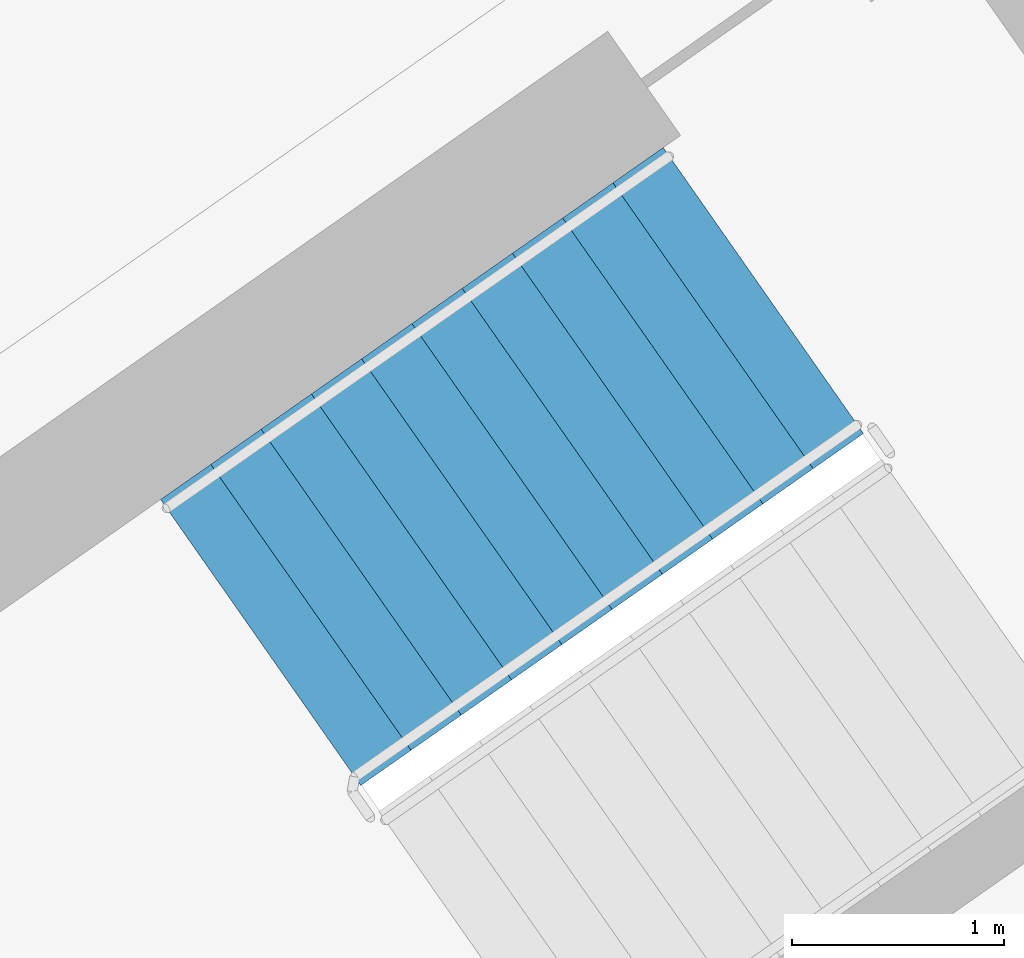
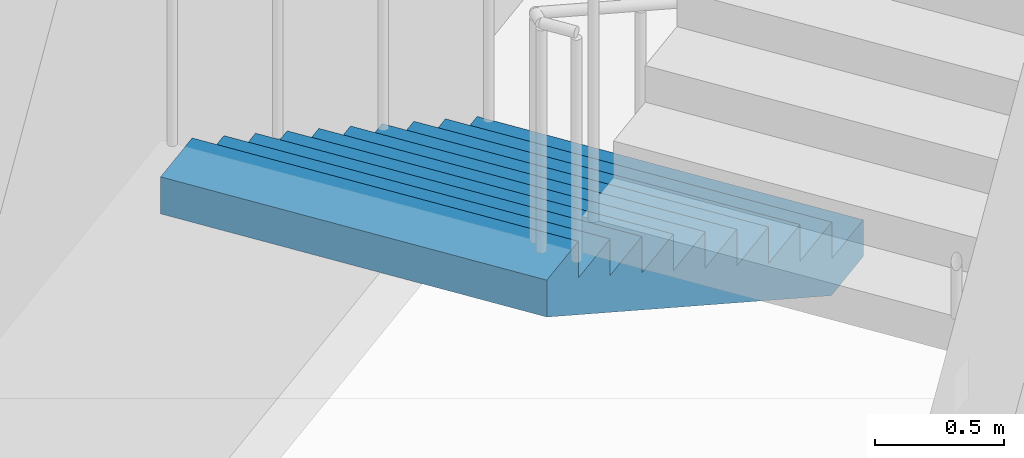
# One storey, part 16 of 27: 1 stair flight, 1 element without a shape of its own.
"""IFC4 building model written with IfcOpenShell, lengths in metres."""

from ifc_helpers import new_model, si_unit, direction, frame, origin, place, context, subcontext, project, spatial, faceted_brep, material, type_object, element, aggregate, save


model = new_model("IFC4")

# Units and contexts
model_context = context("Model", 3, precision=1e-05, world=origin(), true_north=direction((0.0, 1.0)))
body_context = subcontext(model_context, "Body", "Model", "MODEL_VIEW")
ifc_project = project(units=[si_unit("LENGTHUNIT", "METRE"), si_unit("AREAUNIT", "SQUARE_METRE"), si_unit("VOLUMEUNIT", "CUBIC_METRE"), si_unit("PLANEANGLEUNIT", "RADIAN"), si_unit("MASSUNIT", "GRAM", prefix="KILO")], contexts=[model_context])

# Site, building, storey
site_placement = place(None, origin())
site = spatial("IfcSite", under=ifc_project, at=site_placement, CompositionType="ELEMENT")
building_placement = place(site_placement, origin())
building = spatial("IfcBuilding", under=site, at=building_placement, Name="Qamariyya Broadcast Tower", CompositionType="ELEMENT")
storey_placement = place(building_placement, frame((0.0, 0.0, 164.5)))
storey = spatial("IfcBuildingStorey", under=building, at=storey_placement, Name="L38", CompositionType="ELEMENT", Elevation=164.5)

# Stair, stair flight
ifc_material = material(Name="Concrete C50/60", Category="concrete")
stair_type = type_object("IfcStairType", Name="Exit stair 22 risers of 173 mm", PredefinedType="HALF_TURN_STAIR", material=ifc_material)
stair_placement = place(storey_placement, origin())
stair = element("IfcStair", 1, at=stair_placement, inside=storey, type_object=stair_type, Name="L38 Stair E2", PredefinedType="HALF_TURN_STAIR")
stair_flight_type = type_object("IfcStairFlightType", Name="Exit stair flight 11 risers of 173 mm", PredefinedType="STRAIGHT", material=ifc_material)
stair_flight_placement = place(storey_placement, frame((40.558837890625, -47.685302734375, 0.0), z_axis=(0.0, 0.0, 1.0), x_axis=(-0.819152044289, -0.573576436351, 0.0)))
stair_flight = element("IfcStairFlight", 2, at=stair_flight_placement, type_object=stair_flight_type, Name="ST-E2 flight 1", NumberOfRisers=11, NumberOfTreads=10, PredefinedType="STRAIGHT", RiserHeight=0.172727273, TreadLength=0.29, context=body_context, shape_type="Brep", body=[
    faceted_brep([(0.0, 0.824951171875, 0.0), (0.0, 0.824951171875, 0.172607421875), (0.2900390625, 0.824951171875, 0.172607421875), (0.2900390625, 0.824951171875, 0.345458984375), (0.580078125, 0.824951171875, 0.345458984375), (0.580078125, 0.824951171875, 0.51806640625), (0.8701171875, 0.824951171875, 0.51806640625), (0.8701171875, 0.824951171875, 0.69091796875), (1.159912109375, 0.824951171875, 0.69091796875), (1.159912109375, 0.824951171875, 0.863525390625), (1.449951171875, 0.824951171875, 0.863525390625), (1.449951171875, 0.824951171875, 1.036376953125), (1.739990234375, 0.824951171875, 1.036376953125), (1.739990234375, 0.824951171875, 1.208984375), (2.030029296875, 0.824951171875, 1.208984375), (2.030029296875, 0.824951171875, 1.3818359375), (2.320068359375, 0.824951171875, 1.3818359375), (2.320068359375, 0.824951171875, 1.554443359375), (2.610107421875, 0.824951171875, 1.554443359375), (2.610107421875, 0.824951171875, 1.727294921875), (2.89990234375, 0.824951171875, 1.727294921875), (2.89990234375, 0.824951171875, 1.552734375), (0.29296875, 0.824951171875, 0.0), (0.29296875, -0.824951171875, 0.0), (2.89990234375, -0.824951171875, 1.552734375), (2.89990234375, -0.824951171875, 1.727294921875), (2.610107421875, -0.824951171875, 1.727294921875), (2.610107421875, -0.824951171875, 1.554443359375), (2.320068359375, -0.824951171875, 1.554443359375), (2.320068359375, -0.824951171875, 1.3818359375), (2.030029296875, -0.824951171875, 1.3818359375), (2.030029296875, -0.824951171875, 1.208984375), (1.739990234375, -0.824951171875, 1.208984375), (1.739990234375, -0.824951171875, 1.036376953125), (1.449951171875, -0.824951171875, 1.036376953125), (1.449951171875, -0.824951171875, 0.863525390625), (1.159912109375, -0.824951171875, 0.863525390625), (1.159912109375, -0.824951171875, 0.69091796875), (0.8701171875, -0.824951171875, 0.69091796875), (0.8701171875, -0.824951171875, 0.51806640625), (0.580078125, -0.824951171875, 0.51806640625), (0.580078125, -0.824951171875, 0.345458984375), (0.2900390625, -0.824951171875, 0.345458984375), (0.2900390625, -0.824951171875, 0.172607421875), (0.0, -0.824951171875, 0.172607421875), (0.0, -0.824951171875, 0.0), (0.0, 0.10009765625, 0.0), (0.0, 0.086669921875, 0.0), (0.0, 0.0732421875, 0.0), (0.0, 0.06005859375, 0.0), (0.0, 0.046630859375, 0.0), (0.0, 0.033447265625, 0.0), (0.0, 0.02001953125, 0.0), (0.0, 0.006591796875, 0.0), (0.0, -0.006591796875, 0.0), (0.0, -0.02001953125, 0.0), (0.0, -0.033447265625, 0.0), (0.0, -0.046630859375, 0.0), (0.0, -0.06005859375, 0.0), (0.0, -0.0732421875, 0.0), (0.0, -0.086669921875, 0.0), (0.0, -0.10009765625, 0.0), (0.0, -0.10009765625, 0.172607421875), (0.0, -0.086669921875, 0.172607421875), (0.0, -0.0732421875, 0.172607421875), (0.0, -0.06005859375, 0.172607421875), (0.0, -0.046630859375, 0.172607421875), (0.0, -0.033447265625, 0.172607421875), (0.0, -0.02001953125, 0.172607421875), (0.0, -0.006591796875, 0.172607421875), (0.0, 0.006591796875, 0.172607421875), (0.0, 0.02001953125, 0.172607421875), (0.0, 0.033447265625, 0.172607421875), (0.0, 0.046630859375, 0.172607421875), (0.0, 0.06005859375, 0.172607421875), (0.0, 0.0732421875, 0.172607421875), (0.0, 0.086669921875, 0.172607421875), (0.0, 0.10009765625, 0.172607421875), (0.2900390625, -0.10009765625, 0.172607421875), (0.2900390625, -0.086669921875, 0.172607421875), (0.2900390625, -0.0732421875, 0.172607421875), (0.2900390625, -0.06005859375, 0.172607421875), (0.2900390625, -0.046630859375, 0.172607421875), (0.2900390625, -0.033447265625, 0.172607421875), (0.2900390625, -0.02001953125, 0.172607421875), (0.2900390625, -0.006591796875, 0.172607421875), (0.2900390625, 0.006591796875, 0.172607421875), (0.2900390625, 0.02001953125, 0.172607421875), (0.2900390625, 0.033447265625, 0.172607421875), (0.2900390625, 0.046630859375, 0.172607421875), (0.2900390625, 0.06005859375, 0.172607421875), (0.2900390625, 0.0732421875, 0.172607421875), (0.2900390625, 0.086669921875, 0.172607421875), (0.2900390625, 0.10009765625, 0.172607421875), (0.2900390625, -0.10009765625, 0.345458984375), (0.2900390625, -0.086669921875, 0.345458984375), (0.2900390625, -0.0732421875, 0.345458984375), (0.2900390625, -0.06005859375, 0.345458984375), (0.2900390625, -0.046630859375, 0.345458984375), (0.2900390625, -0.033447265625, 0.345458984375), (0.2900390625, -0.02001953125, 0.345458984375), (0.2900390625, -0.006591796875, 0.345458984375), (0.2900390625, 0.006591796875, 0.345458984375), (0.2900390625, 0.02001953125, 0.345458984375), (0.2900390625, 0.033447265625, 0.345458984375), (0.2900390625, 0.046630859375, 0.345458984375), (0.2900390625, 0.06005859375, 0.345458984375), (0.2900390625, 0.0732421875, 0.345458984375), (0.2900390625, 0.086669921875, 0.345458984375), (0.2900390625, 0.10009765625, 0.345458984375), (0.580078125, -0.10009765625, 0.345458984375), (0.580078125, -0.086669921875, 0.345458984375), (0.580078125, -0.0732421875, 0.345458984375), (0.580078125, -0.06005859375, 0.345458984375), (0.580078125, -0.046630859375, 0.345458984375), (0.580078125, -0.033447265625, 0.345458984375), (0.580078125, -0.02001953125, 0.345458984375), (0.580078125, -0.006591796875, 0.345458984375), (0.580078125, 0.006591796875, 0.345458984375), (0.580078125, 0.02001953125, 0.345458984375), (0.580078125, 0.033447265625, 0.345458984375), (0.580078125, 0.046630859375, 0.345458984375), (0.580078125, 0.06005859375, 0.345458984375), (0.580078125, 0.0732421875, 0.345458984375), (0.580078125, 0.086669921875, 0.345458984375), (0.580078125, 0.10009765625, 0.345458984375), (0.580078125, -0.10009765625, 0.51806640625), (0.580078125, -0.086669921875, 0.51806640625), (0.580078125, -0.0732421875, 0.51806640625), (0.580078125, -0.06005859375, 0.51806640625), (0.580078125, -0.046630859375, 0.51806640625), (0.580078125, -0.033447265625, 0.51806640625), (0.580078125, -0.02001953125, 0.51806640625), (0.580078125, -0.006591796875, 0.51806640625), (0.580078125, 0.006591796875, 0.51806640625), (0.580078125, 0.02001953125, 0.51806640625), (0.580078125, 0.033447265625, 0.51806640625), (0.580078125, 0.046630859375, 0.51806640625), (0.580078125, 0.06005859375, 0.51806640625), (0.580078125, 0.0732421875, 0.51806640625), (0.580078125, 0.086669921875, 0.51806640625), (0.580078125, 0.10009765625, 0.51806640625), (0.8701171875, -0.10009765625, 0.51806640625), (0.8701171875, -0.086669921875, 0.51806640625), (0.8701171875, -0.0732421875, 0.51806640625), (0.8701171875, -0.06005859375, 0.51806640625), (0.8701171875, -0.046630859375, 0.51806640625), (0.8701171875, -0.033447265625, 0.51806640625), (0.8701171875, -0.02001953125, 0.51806640625), (0.8701171875, -0.006591796875, 0.51806640625), (0.8701171875, 0.006591796875, 0.51806640625), (0.8701171875, 0.02001953125, 0.51806640625), (0.8701171875, 0.033447265625, 0.51806640625), (0.8701171875, 0.046630859375, 0.51806640625), (0.8701171875, 0.06005859375, 0.51806640625), (0.8701171875, 0.0732421875, 0.51806640625), (0.8701171875, 0.086669921875, 0.51806640625), (0.8701171875, 0.10009765625, 0.51806640625), (0.8701171875, -0.10009765625, 0.69091796875), (0.8701171875, -0.086669921875, 0.69091796875), (0.8701171875, -0.0732421875, 0.69091796875), (0.8701171875, -0.06005859375, 0.69091796875), (0.8701171875, -0.046630859375, 0.69091796875), (0.8701171875, -0.033447265625, 0.69091796875), (0.8701171875, -0.02001953125, 0.69091796875), (0.8701171875, -0.006591796875, 0.69091796875), (0.8701171875, 0.006591796875, 0.69091796875), (0.8701171875, 0.02001953125, 0.69091796875), (0.8701171875, 0.033447265625, 0.69091796875), (0.8701171875, 0.046630859375, 0.69091796875), (0.8701171875, 0.06005859375, 0.69091796875), (0.8701171875, 0.0732421875, 0.69091796875), (0.8701171875, 0.086669921875, 0.69091796875), (0.8701171875, 0.10009765625, 0.69091796875), (1.159912109375, -0.10009765625, 0.69091796875), (1.159912109375, -0.086669921875, 0.69091796875), (1.159912109375, -0.0732421875, 0.69091796875), (1.159912109375, -0.06005859375, 0.69091796875), (1.159912109375, -0.046630859375, 0.69091796875), (1.159912109375, -0.033447265625, 0.69091796875), (1.159912109375, -0.02001953125, 0.69091796875), (1.159912109375, -0.006591796875, 0.69091796875), (1.159912109375, 0.006591796875, 0.69091796875), (1.159912109375, 0.02001953125, 0.69091796875), (1.159912109375, 0.033447265625, 0.69091796875), (1.159912109375, 0.046630859375, 0.69091796875), (1.159912109375, 0.06005859375, 0.69091796875), (1.159912109375, 0.0732421875, 0.69091796875), (1.159912109375, 0.086669921875, 0.69091796875), (1.159912109375, 0.10009765625, 0.69091796875), (1.159912109375, -0.10009765625, 0.863525390625), (1.159912109375, -0.086669921875, 0.863525390625), (1.159912109375, -0.0732421875, 0.863525390625), (1.159912109375, -0.06005859375, 0.863525390625), (1.159912109375, -0.046630859375, 0.863525390625), (1.159912109375, -0.033447265625, 0.863525390625), (1.159912109375, -0.02001953125, 0.863525390625), (1.159912109375, -0.006591796875, 0.863525390625), (1.159912109375, 0.006591796875, 0.863525390625), (1.159912109375, 0.02001953125, 0.863525390625), (1.159912109375, 0.033447265625, 0.863525390625), (1.159912109375, 0.046630859375, 0.863525390625), (1.159912109375, 0.06005859375, 0.863525390625), (1.159912109375, 0.0732421875, 0.863525390625), (1.159912109375, 0.086669921875, 0.863525390625), (1.159912109375, 0.10009765625, 0.863525390625), (1.449951171875, -0.10009765625, 0.863525390625), (1.449951171875, -0.086669921875, 0.863525390625), (1.449951171875, -0.0732421875, 0.863525390625), (1.449951171875, -0.06005859375, 0.863525390625), (1.449951171875, -0.046630859375, 0.863525390625), (1.449951171875, -0.033447265625, 0.863525390625), (1.449951171875, -0.02001953125, 0.863525390625), (1.449951171875, -0.006591796875, 0.863525390625), (1.449951171875, 0.006591796875, 0.863525390625), (1.449951171875, 0.02001953125, 0.863525390625), (1.449951171875, 0.033447265625, 0.863525390625), (1.449951171875, 0.046630859375, 0.863525390625), (1.449951171875, 0.06005859375, 0.863525390625), (1.449951171875, 0.0732421875, 0.863525390625), (1.449951171875, 0.086669921875, 0.863525390625), (1.449951171875, 0.10009765625, 0.863525390625), (1.449951171875, -0.10009765625, 1.036376953125), (1.449951171875, -0.086669921875, 1.036376953125), (1.449951171875, -0.0732421875, 1.036376953125), (1.449951171875, -0.06005859375, 1.036376953125), (1.449951171875, -0.046630859375, 1.036376953125), (1.449951171875, -0.033447265625, 1.036376953125), (1.449951171875, -0.02001953125, 1.036376953125), (1.449951171875, -0.006591796875, 1.036376953125), (1.449951171875, 0.006591796875, 1.036376953125), (1.449951171875, 0.02001953125, 1.036376953125), (1.449951171875, 0.033447265625, 1.036376953125), (1.449951171875, 0.046630859375, 1.036376953125), (1.449951171875, 0.06005859375, 1.036376953125), (1.449951171875, 0.0732421875, 1.036376953125), (1.449951171875, 0.086669921875, 1.036376953125), (1.449951171875, 0.10009765625, 1.036376953125), (1.739990234375, -0.10009765625, 1.036376953125), (1.739990234375, -0.086669921875, 1.036376953125), (1.739990234375, -0.0732421875, 1.036376953125), (1.739990234375, -0.06005859375, 1.036376953125), (1.739990234375, -0.046630859375, 1.036376953125), (1.739990234375, -0.033447265625, 1.036376953125), (1.739990234375, -0.02001953125, 1.036376953125), (1.739990234375, -0.006591796875, 1.036376953125), (1.739990234375, 0.006591796875, 1.036376953125), (1.739990234375, 0.02001953125, 1.036376953125), (1.739990234375, 0.033447265625, 1.036376953125), (1.739990234375, 0.046630859375, 1.036376953125), (1.739990234375, 0.06005859375, 1.036376953125), (1.739990234375, 0.0732421875, 1.036376953125), (1.739990234375, 0.086669921875, 1.036376953125), (1.739990234375, 0.10009765625, 1.036376953125), (1.739990234375, -0.10009765625, 1.208984375), (1.739990234375, -0.086669921875, 1.208984375), (1.739990234375, -0.0732421875, 1.208984375), (1.739990234375, -0.06005859375, 1.208984375), (1.739990234375, -0.046630859375, 1.208984375), (1.739990234375, -0.033447265625, 1.208984375), (1.739990234375, -0.02001953125, 1.208984375), (1.739990234375, -0.006591796875, 1.208984375), (1.739990234375, 0.006591796875, 1.208984375), (1.739990234375, 0.02001953125, 1.208984375), (1.739990234375, 0.033447265625, 1.208984375), (1.739990234375, 0.046630859375, 1.208984375), (1.739990234375, 0.06005859375, 1.208984375), (1.739990234375, 0.0732421875, 1.208984375), (1.739990234375, 0.086669921875, 1.208984375), (1.739990234375, 0.10009765625, 1.208984375), (2.030029296875, -0.10009765625, 1.208984375), (2.030029296875, -0.086669921875, 1.208984375), (2.030029296875, -0.0732421875, 1.208984375), (2.030029296875, -0.06005859375, 1.208984375), (2.030029296875, -0.046630859375, 1.208984375), (2.030029296875, -0.033447265625, 1.208984375), (2.030029296875, -0.02001953125, 1.208984375), (2.030029296875, -0.006591796875, 1.208984375), (2.030029296875, 0.006591796875, 1.208984375), (2.030029296875, 0.02001953125, 1.208984375), (2.030029296875, 0.033447265625, 1.208984375), (2.030029296875, 0.046630859375, 1.208984375), (2.030029296875, 0.06005859375, 1.208984375), (2.030029296875, 0.0732421875, 1.208984375), (2.030029296875, 0.086669921875, 1.208984375), (2.030029296875, 0.10009765625, 1.208984375), (2.030029296875, -0.10009765625, 1.3818359375), (2.030029296875, -0.086669921875, 1.3818359375), (2.030029296875, -0.0732421875, 1.3818359375), (2.030029296875, -0.06005859375, 1.3818359375), (2.030029296875, -0.046630859375, 1.3818359375), (2.030029296875, -0.033447265625, 1.3818359375), (2.030029296875, -0.02001953125, 1.3818359375), (2.030029296875, -0.006591796875, 1.3818359375), (2.030029296875, 0.006591796875, 1.3818359375), (2.030029296875, 0.02001953125, 1.3818359375), (2.030029296875, 0.033447265625, 1.3818359375), (2.030029296875, 0.046630859375, 1.3818359375), (2.030029296875, 0.06005859375, 1.3818359375), (2.030029296875, 0.0732421875, 1.3818359375), (2.030029296875, 0.086669921875, 1.3818359375), (2.030029296875, 0.10009765625, 1.3818359375), (2.320068359375, -0.10009765625, 1.3818359375), (2.320068359375, -0.086669921875, 1.3818359375), (2.320068359375, -0.0732421875, 1.3818359375), (2.320068359375, -0.06005859375, 1.3818359375), (2.320068359375, -0.046630859375, 1.3818359375), (2.320068359375, -0.033447265625, 1.3818359375), (2.320068359375, -0.02001953125, 1.3818359375), (2.320068359375, -0.006591796875, 1.3818359375), (2.320068359375, 0.006591796875, 1.3818359375), (2.320068359375, 0.02001953125, 1.3818359375), (2.320068359375, 0.033447265625, 1.3818359375), (2.320068359375, 0.046630859375, 1.3818359375), (2.320068359375, 0.06005859375, 1.3818359375), (2.320068359375, 0.0732421875, 1.3818359375), (2.320068359375, 0.086669921875, 1.3818359375), (2.320068359375, 0.10009765625, 1.3818359375), (2.320068359375, -0.10009765625, 1.554443359375), (2.320068359375, -0.086669921875, 1.554443359375), (2.320068359375, -0.0732421875, 1.554443359375), (2.320068359375, -0.06005859375, 1.554443359375), (2.320068359375, -0.046630859375, 1.554443359375), (2.320068359375, -0.033447265625, 1.554443359375), (2.320068359375, -0.02001953125, 1.554443359375), (2.320068359375, -0.006591796875, 1.554443359375), (2.320068359375, 0.006591796875, 1.554443359375), (2.320068359375, 0.02001953125, 1.554443359375), (2.320068359375, 0.033447265625, 1.554443359375), (2.320068359375, 0.046630859375, 1.554443359375), (2.320068359375, 0.06005859375, 1.554443359375), (2.320068359375, 0.0732421875, 1.554443359375), (2.320068359375, 0.086669921875, 1.554443359375), (2.320068359375, 0.10009765625, 1.554443359375), (2.610107421875, -0.10009765625, 1.554443359375), (2.610107421875, -0.086669921875, 1.554443359375), (2.610107421875, -0.0732421875, 1.554443359375), (2.610107421875, -0.06005859375, 1.554443359375), (2.610107421875, -0.046630859375, 1.554443359375), (2.610107421875, -0.033447265625, 1.554443359375), (2.610107421875, -0.02001953125, 1.554443359375), (2.610107421875, -0.006591796875, 1.554443359375), (2.610107421875, 0.006591796875, 1.554443359375), (2.610107421875, 0.02001953125, 1.554443359375), (2.610107421875, 0.033447265625, 1.554443359375), (2.610107421875, 0.046630859375, 1.554443359375), (2.610107421875, 0.06005859375, 1.554443359375), (2.610107421875, 0.0732421875, 1.554443359375), (2.610107421875, 0.086669921875, 1.554443359375), (2.610107421875, 0.10009765625, 1.554443359375), (2.610107421875, -0.10009765625, 1.727294921875), (2.610107421875, -0.086669921875, 1.727294921875), (2.610107421875, -0.0732421875, 1.727294921875), (2.610107421875, -0.06005859375, 1.727294921875), (2.610107421875, -0.046630859375, 1.727294921875), (2.610107421875, -0.033447265625, 1.727294921875), (2.610107421875, -0.02001953125, 1.727294921875), (2.610107421875, -0.006591796875, 1.727294921875), (2.610107421875, 0.006591796875, 1.727294921875), (2.610107421875, 0.02001953125, 1.727294921875), (2.610107421875, 0.033447265625, 1.727294921875), (2.610107421875, 0.046630859375, 1.727294921875), (2.610107421875, 0.06005859375, 1.727294921875), (2.610107421875, 0.0732421875, 1.727294921875), (2.610107421875, 0.086669921875, 1.727294921875), (2.610107421875, 0.10009765625, 1.727294921875), (2.89990234375, -0.10009765625, 1.727294921875), (2.89990234375, -0.086669921875, 1.727294921875), (2.89990234375, -0.0732421875, 1.727294921875), (2.89990234375, -0.06005859375, 1.727294921875), (2.89990234375, -0.046630859375, 1.727294921875), (2.89990234375, -0.033447265625, 1.727294921875), (2.89990234375, -0.02001953125, 1.727294921875), (2.89990234375, -0.006591796875, 1.727294921875), (2.89990234375, 0.006591796875, 1.727294921875), (2.89990234375, 0.02001953125, 1.727294921875), (2.89990234375, 0.033447265625, 1.727294921875), (2.89990234375, 0.046630859375, 1.727294921875), (2.89990234375, 0.06005859375, 1.727294921875), (2.89990234375, 0.0732421875, 1.727294921875), (2.89990234375, 0.086669921875, 1.727294921875), (2.89990234375, 0.10009765625, 1.727294921875), (2.89990234375, -0.10009765625, 1.552734375), (2.89990234375, -0.086669921875, 1.552734375), (2.89990234375, -0.0732421875, 1.552734375), (2.89990234375, -0.06005859375, 1.552734375), (2.89990234375, -0.046630859375, 1.552734375), (2.89990234375, -0.033447265625, 1.552734375), (2.89990234375, -0.02001953125, 1.552734375), (2.89990234375, -0.006591796875, 1.552734375), (2.89990234375, 0.006591796875, 1.552734375), (2.89990234375, 0.02001953125, 1.552734375), (2.89990234375, 0.033447265625, 1.552734375), (2.89990234375, 0.046630859375, 1.552734375), (2.89990234375, 0.06005859375, 1.552734375), (2.89990234375, 0.0732421875, 1.552734375), (2.89990234375, 0.086669921875, 1.552734375), (2.89990234375, 0.10009765625, 1.552734375), (0.29296875, -0.10009765625, 0.0), (0.29296875, -0.086669921875, 0.0), (0.29296875, -0.0732421875, 0.0), (0.29296875, -0.06005859375, 0.0), (0.29296875, -0.046630859375, 0.0), (0.29296875, -0.033447265625, 0.0), (0.29296875, -0.02001953125, 0.0), (0.29296875, -0.006591796875, 0.0), (0.29296875, 0.006591796875, 0.0), (0.29296875, 0.02001953125, 0.0), (0.29296875, 0.033447265625, 0.0), (0.29296875, 0.046630859375, 0.0), (0.29296875, 0.06005859375, 0.0), (0.29296875, 0.0732421875, 0.0), (0.29296875, 0.086669921875, 0.0), (0.29296875, 0.10009765625, 0.0)], [[[0, 1, 2, 3, 4, 5, 6, 7, 8, 9, 10, 11, 12, 13, 14, 15, 16, 17, 18, 19, 20, 21, 22]], [[23, 24, 25, 26, 27, 28, 29, 30, 31, 32, 33, 34, 35, 36, 37, 38, 39, 40, 41, 42, 43, 44, 45]], [[0, 46, 47, 48, 49, 50, 51, 52, 53, 54, 55, 56, 57, 58, 59, 60, 61, 45, 44, 62, 63, 64, 65, 66, 67, 68, 69, 70, 71, 72, 73, 74, 75, 76, 77, 1]], [[1, 77, 76, 75, 74, 73, 72, 71, 70, 69, 68, 67, 66, 65, 64, 63, 62, 44, 43, 78, 79, 80, 81, 82, 83, 84, 85, 86, 87, 88, 89, 90, 91, 92, 93, 2]], [[2, 93, 92, 91, 90, 89, 88, 87, 86, 85, 84, 83, 82, 81, 80, 79, 78, 43, 42, 94, 95, 96, 97, 98, 99, 100, 101, 102, 103, 104, 105, 106, 107, 108, 109, 3]], [[3, 109, 108, 107, 106, 105, 104, 103, 102, 101, 100, 99, 98, 97, 96, 95, 94, 42, 41, 110, 111, 112, 113, 114, 115, 116, 117, 118, 119, 120, 121, 122, 123, 124, 125, 4]], [[4, 125, 124, 123, 122, 121, 120, 119, 118, 117, 116, 115, 114, 113, 112, 111, 110, 41, 40, 126, 127, 128, 129, 130, 131, 132, 133, 134, 135, 136, 137, 138, 139, 140, 141, 5]], [[5, 141, 140, 139, 138, 137, 136, 135, 134, 133, 132, 131, 130, 129, 128, 127, 126, 40, 39, 142, 143, 144, 145, 146, 147, 148, 149, 150, 151, 152, 153, 154, 155, 156, 157, 6]], [[6, 157, 156, 155, 154, 153, 152, 151, 150, 149, 148, 147, 146, 145, 144, 143, 142, 39, 38, 158, 159, 160, 161, 162, 163, 164, 165, 166, 167, 168, 169, 170, 171, 172, 173, 7]], [[7, 173, 172, 171, 170, 169, 168, 167, 166, 165, 164, 163, 162, 161, 160, 159, 158, 38, 37, 174, 175, 176, 177, 178, 179, 180, 181, 182, 183, 184, 185, 186, 187, 188, 189, 8]], [[8, 189, 188, 187, 186, 185, 184, 183, 182, 181, 180, 179, 178, 177, 176, 175, 174, 37, 36, 190, 191, 192, 193, 194, 195, 196, 197, 198, 199, 200, 201, 202, 203, 204, 205, 9]], [[9, 205, 204, 203, 202, 201, 200, 199, 198, 197, 196, 195, 194, 193, 192, 191, 190, 36, 35, 206, 207, 208, 209, 210, 211, 212, 213, 214, 215, 216, 217, 218, 219, 220, 221, 10]], [[10, 221, 220, 219, 218, 217, 216, 215, 214, 213, 212, 211, 210, 209, 208, 207, 206, 35, 34, 222, 223, 224, 225, 226, 227, 228, 229, 230, 231, 232, 233, 234, 235, 236, 237, 11]], [[11, 237, 236, 235, 234, 233, 232, 231, 230, 229, 228, 227, 226, 225, 224, 223, 222, 34, 33, 238, 239, 240, 241, 242, 243, 244, 245, 246, 247, 248, 249, 250, 251, 252, 253, 12]], [[12, 253, 252, 251, 250, 249, 248, 247, 246, 245, 244, 243, 242, 241, 240, 239, 238, 33, 32, 254, 255, 256, 257, 258, 259, 260, 261, 262, 263, 264, 265, 266, 267, 268, 269, 13]], [[13, 269, 268, 267, 266, 265, 264, 263, 262, 261, 260, 259, 258, 257, 256, 255, 254, 32, 31, 270, 271, 272, 273, 274, 275, 276, 277, 278, 279, 280, 281, 282, 283, 284, 285, 14]], [[14, 285, 284, 283, 282, 281, 280, 279, 278, 277, 276, 275, 274, 273, 272, 271, 270, 31, 30, 286, 287, 288, 289, 290, 291, 292, 293, 294, 295, 296, 297, 298, 299, 300, 301, 15]], [[15, 301, 300, 299, 298, 297, 296, 295, 294, 293, 292, 291, 290, 289, 288, 287, 286, 30, 29, 302, 303, 304, 305, 306, 307, 308, 309, 310, 311, 312, 313, 314, 315, 316, 317, 16]], [[16, 317, 316, 315, 314, 313, 312, 311, 310, 309, 308, 307, 306, 305, 304, 303, 302, 29, 28, 318, 319, 320, 321, 322, 323, 324, 325, 326, 327, 328, 329, 330, 331, 332, 333, 17]], [[17, 333, 332, 331, 330, 329, 328, 327, 326, 325, 324, 323, 322, 321, 320, 319, 318, 28, 27, 334, 335, 336, 337, 338, 339, 340, 341, 342, 343, 344, 345, 346, 347, 348, 349, 18]], [[18, 349, 348, 347, 346, 345, 344, 343, 342, 341, 340, 339, 338, 337, 336, 335, 334, 27, 26, 350, 351, 352, 353, 354, 355, 356, 357, 358, 359, 360, 361, 362, 363, 364, 365, 19]], [[19, 365, 364, 363, 362, 361, 360, 359, 358, 357, 356, 355, 354, 353, 352, 351, 350, 26, 25, 366, 367, 368, 369, 370, 371, 372, 373, 374, 375, 376, 377, 378, 379, 380, 381, 20]], [[20, 381, 380, 379, 378, 377, 376, 375, 374, 373, 372, 371, 370, 369, 368, 367, 366, 25, 24, 382, 383, 384, 385, 386, 387, 388, 389, 390, 391, 392, 393, 394, 395, 396, 397, 21]], [[21, 397, 396, 395, 394, 393, 392, 391, 390, 389, 388, 387, 386, 385, 384, 383, 382, 24, 23, 398, 399, 400, 401, 402, 403, 404, 405, 406, 407, 408, 409, 410, 411, 412, 413, 22]], [[22, 413, 412, 411, 410, 409, 408, 407, 406, 405, 404, 403, 402, 401, 400, 399, 398, 23, 45, 61, 60, 59, 58, 57, 56, 55, 54, 53, 52, 51, 50, 49, 48, 47, 46, 0]]]),
])
aggregate(stair, [stair_flight])

save(model, "model.ifc")
